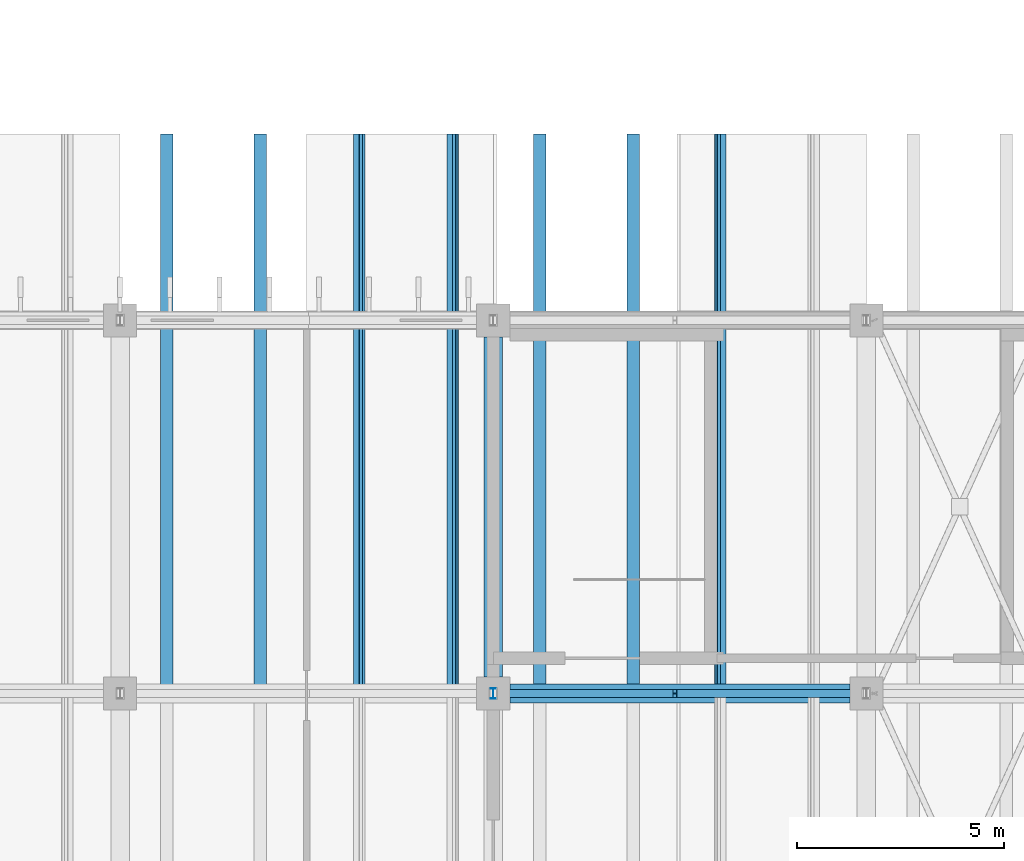
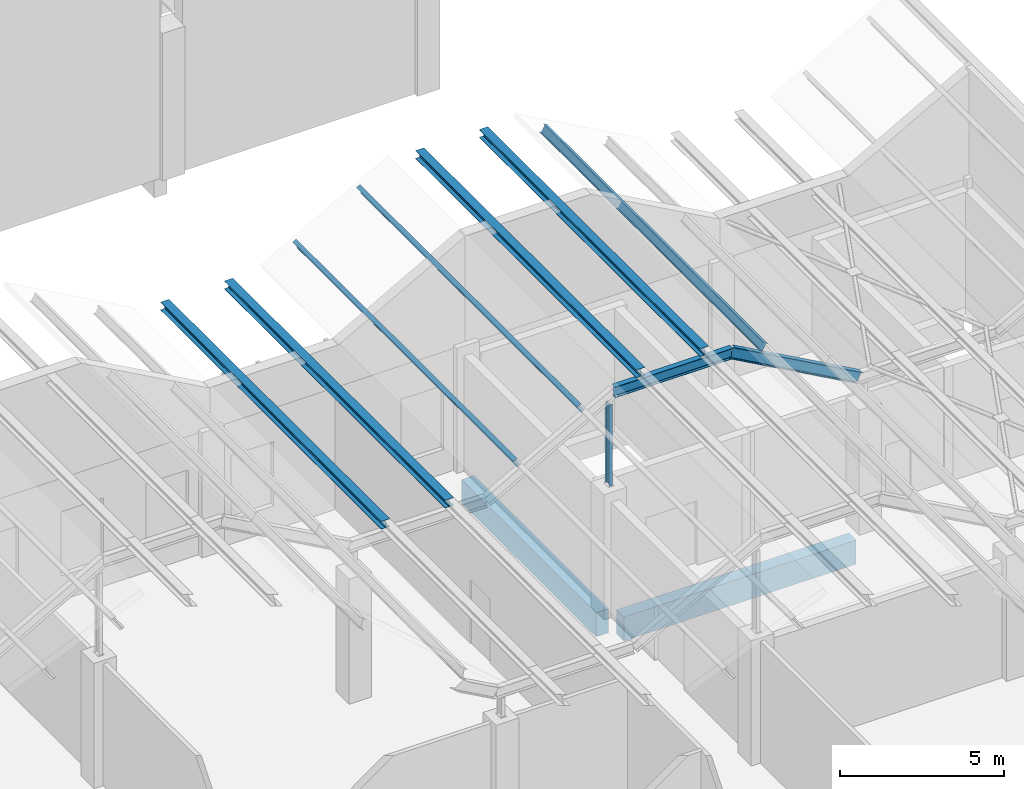
# One storey, part 68 of 437: 10 members, 2 beams.
"""IFC4 building model written with IfcOpenShell, lengths in metres."""

from ifc_helpers import new_model, si_unit, direction, frame, origin, origin_2d, place, context, subcontext, project, spatial, rectangle, i_section, extrude, material, material_profile, profile_set, type_object, element, save


model = new_model("IFC4")

# Units and contexts
model_context = context("Model", 3, precision=1e-05, world=origin(), true_north=direction((0.0, 1.0)))
body_context = subcontext(model_context, "Body", "Model", "MODEL_VIEW")
ifc_project = project(units=[si_unit("LENGTHUNIT", "METRE"), si_unit("AREAUNIT", "SQUARE_METRE"), si_unit("VOLUMEUNIT", "CUBIC_METRE"), si_unit("PLANEANGLEUNIT", "RADIAN"), si_unit("MASSUNIT", "GRAM", prefix="KILO")], contexts=[model_context])

# Site, building, storey
site_placement = place(None, origin())
site = spatial("IfcSite", under=ifc_project, at=site_placement, CompositionType="ELEMENT")
building_placement = place(site_placement, origin())
building = spatial("IfcBuilding", under=site, at=building_placement, Name="Opaline Strait Convention Centre", CompositionType="ELEMENT")
storey_placement = place(building_placement, frame((0.0, 0.0, 11.5)))
storey = spatial("IfcBuildingStorey", under=building, at=storey_placement, Name="L02", CompositionType="ELEMENT", Elevation=11.5)

# Members
ifc_material_1 = material(Name="Steel Q355B", Category="steel")
ifc_material_profile_1 = material_profile(ifc_material_1, i_section(OverallWidth=0.300048828125, OverallDepth=0.300048828125, WebThickness=0.010009765625, FlangeThickness=0.014892578125, FilletRadius=0.012939453125, at=origin_2d()), Name="HW 300x300x10x15")
ifc_profile_set_1 = profile_set([ifc_material_profile_1], Name="Steel Q355B")
member_type_1 = type_object("IfcMemberType", Name="Crest purlin HW 300x300x10x15", PredefinedType="PURLIN", material=ifc_profile_set_1)
for number, where, z_axis, x_axis, name in (
    (1, (55.125, 90.0, 5.949951171875), (0.0, 1.0, 0.0), (-1.0, 0.0, 0.0), "RU1 purlin facet 11 line 1"),
    (2, (57.375, 90.0, 5.949951171875), (0.0, 1.0, 0.0), (-1.0, 0.0, 0.0), "RU1 purlin facet 11 line 2"),
    (3, (64.125, 90.0, 8.449951171875), (0.0, 1.0, 0.0), (-1.0, 0.0, 0.0), "RU1 purlin facet 13 line 1"),
    (4, (66.375, 90.0, 8.449951171875), (0.0, 1.0, 0.0), (-1.0, 0.0, 0.0), "RU1 purlin facet 13 line 2"),
):
    element("IfcMember", number, at=place(storey_placement, frame(where, z_axis=z_axis, x_axis=x_axis)), inside=storey, type_object=member_type_1, Name=name, PredefinedType="PURLIN", context=body_context, shape_type="SweptSolid", body=[
        extrude(i_section(OverallWidth=0.300048828125, OverallDepth=0.300048828125, WebThickness=0.010009765625, FlangeThickness=0.014892578125, FilletRadius=0.012939453125, at=origin_2d()), origin(), (0.0, 0.0, 1.0), 13.5),
    ])

# Beams
ifc_material_2 = material(Name="Concrete C35", Category="concrete")
ifc_material_profile_2 = material_profile(ifc_material_2, rectangle(XDim=0.449951171875, YDim=0.89990234375, at=origin_2d()), Name="RC 450x900")
ifc_profile_set_2 = profile_set([ifc_material_profile_2], Name="Concrete C35")
beam_type = type_object("IfcBeamType", Name="RC beam 450x900 C35", PredefinedType="BEAM", material=ifc_profile_set_2)
for number, where, z_axis, x_axis, name in (
    (5, (63.39990234375, 90.0, -0.72998046875), (1.0, 0.0, 0.0), (0.0, 1.0, 0.0), "XB1 L02 63/90-72/90"),
    (6, (63.0, 90.39990234375, -0.72998046875), (0.0, 1.0, 0.0), (-1.0, 0.0, 0.0), "XB1 L02 63/90-63/99"),
):
    element("IfcBeam", number, at=place(storey_placement, frame(where, z_axis=z_axis, x_axis=x_axis)), inside=storey, type_object=beam_type, Name=name, PredefinedType="BEAM", context=body_context, shape_type="SweptSolid", body=[
        extrude(rectangle(XDim=0.449951171875, YDim=0.89990234375, at=origin_2d()), origin(), (0.0, 0.0, 1.0), 8.2001953125),
    ])

# Members
ifc_material_profile_3 = material_profile(ifc_material_1, i_section(OverallWidth=0.125, OverallDepth=0.25, WebThickness=0.006103515625, FlangeThickness=0.009033203125, FilletRadius=0.008056640625, at=origin_2d()), Name="HN 250x125x6x9")
ifc_profile_set_3 = profile_set([ifc_material_profile_3], Name="Steel Q355B")
member_type_2 = type_object("IfcMemberType", Name="Roof post HN 250x125x6x9", PredefinedType="STRUT", material=ifc_profile_set_3)
member_1_placement = place(storey_placement, frame((63.0, 90.0, 4.68994140625), z_axis=(0.0, 0.0, 1.0), x_axis=(1.0, 0.0, 0.0)))
element("IfcMember", 7, at=member_1_placement, inside=storey, type_object=member_type_2, Name="RP1 roof post at 63/90", PredefinedType="STRUT", context=body_context, shape_type="SweptSolid", body=[
    extrude(i_section(OverallWidth=0.125, OverallDepth=0.25, WebThickness=0.006103515625, FlangeThickness=0.009033203125, FilletRadius=0.008056640625, at=origin_2d()), origin(), (0.0, 0.0, 1.0), 3.031005859375),
])
ifc_material_profile_4 = material_profile(ifc_material_1, i_section(OverallWidth=0.14990234375, OverallDepth=0.300048828125, WebThickness=0.006591796875, FlangeThickness=0.009033203125, FilletRadius=0.012939453125, at=origin_2d()), Name="HN 300x150x6.5x9")
ifc_profile_set_4 = profile_set([ifc_material_profile_4], Name="Steel Q355B")
member_type_3 = type_object("IfcMemberType", Name="Roof purlin HN 300x150x6.5x9", PredefinedType="PURLIN", material=ifc_profile_set_4)
for number, where, z_axis, x_axis, name in (
    (8, (59.770751953125, 90.0, 6.61279296875), (0.0, 1.0, 0.0), (-0.874157310866, 0.0, -0.485642868639), "RU1 purlin facet 12 line 1"),
    (9, (62.020751953125, 90.0, 7.86279296875), (0.0, 1.0, 0.0), (-0.874157310866, 0.0, -0.485642868639), "RU1 purlin facet 12 line 2"),
    (10, (68.479248046875, 90.0, 7.86279296875), (0.0, 1.0, 0.0), (-0.874157310866, 0.0, 0.485642868639), "RU1 purlin facet 14 line 1"),
):
    element("IfcMember", number, at=place(storey_placement, frame(where, z_axis=z_axis, x_axis=x_axis)), inside=storey, type_object=member_type_3, Name=name, PredefinedType="PURLIN", context=body_context, shape_type="SweptSolid", body=[
        extrude(i_section(OverallWidth=0.14990234375, OverallDepth=0.300048828125, WebThickness=0.006591796875, FlangeThickness=0.009033203125, FilletRadius=0.012939453125, at=origin_2d()), origin(), (0.0, 0.0, 1.0), 13.5),
    ])
ifc_material_profile_5 = material_profile(ifc_material_1, i_section(OverallWidth=0.199951171875, OverallDepth=0.39990234375, WebThickness=0.008056640625, FlangeThickness=0.012939453125, FilletRadius=0.012939453125, at=origin_2d()), Name="HN 400x200x8x13")
ifc_profile_set_5 = profile_set([ifc_material_profile_5], Name="Steel Q355B")
member_type_4 = type_object("IfcMemberType", Name="Roof rafter HN 400x200x8x13", PredefinedType="RAFTER", material=ifc_profile_set_5)
member_2_placement = place(storey_placement, frame((63.16845703125, 90.0, 8.10009765625), z_axis=(1.0, 0.0, 0.0), x_axis=(0.0, 1.0, 0.0)))
element("IfcMember", 11, at=member_2_placement, inside=storey, type_object=member_type_4, Name="RR1 rafter line 10 facet 14", PredefinedType="RAFTER", context=body_context, shape_type="SweptSolid", body=[
    extrude(i_section(OverallWidth=0.199951171875, OverallDepth=0.39990234375, WebThickness=0.008056640625, FlangeThickness=0.012939453125, FilletRadius=0.012939453125, at=origin_2d()), origin(), (0.0, 0.0, 1.0), 4.1630859375),
])
member_3_placement = place(storey_placement, frame((67.33154296875, 90.0, 8.10009765625), z_axis=(0.874157276122, 0.0, -0.485642931179), x_axis=(0.0, 1.0, 0.0)))
element("IfcMember", 12, at=member_3_placement, inside=storey, type_object=member_type_4, Name="RR1 rafter line 10 facet 15", PredefinedType="RAFTER", context=body_context, shape_type="SweptSolid", body=[
    extrude(i_section(OverallWidth=0.199951171875, OverallDepth=0.39990234375, WebThickness=0.008056640625, FlangeThickness=0.012939453125, FilletRadius=0.012939453125, at=origin_2d()), origin(), (0.0, 0.0, 1.0), 5.147705078125),
])

save(model, "model.ifc")
